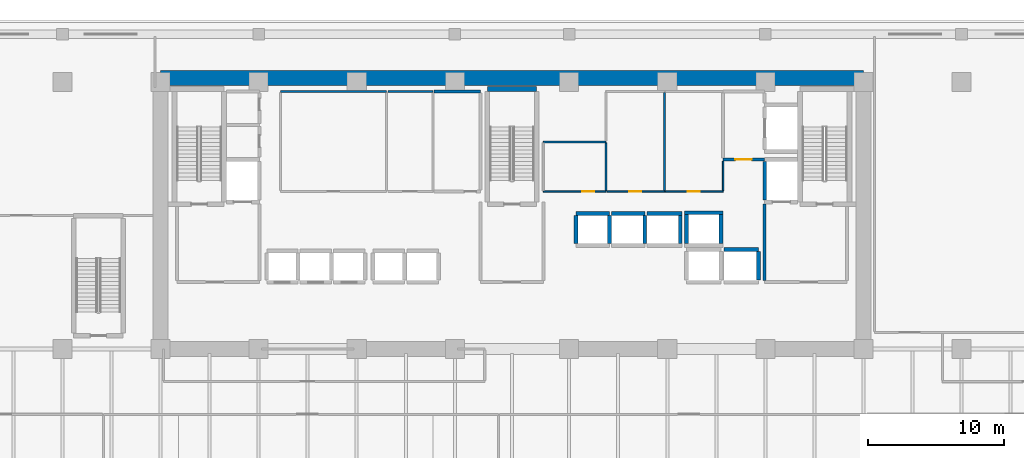
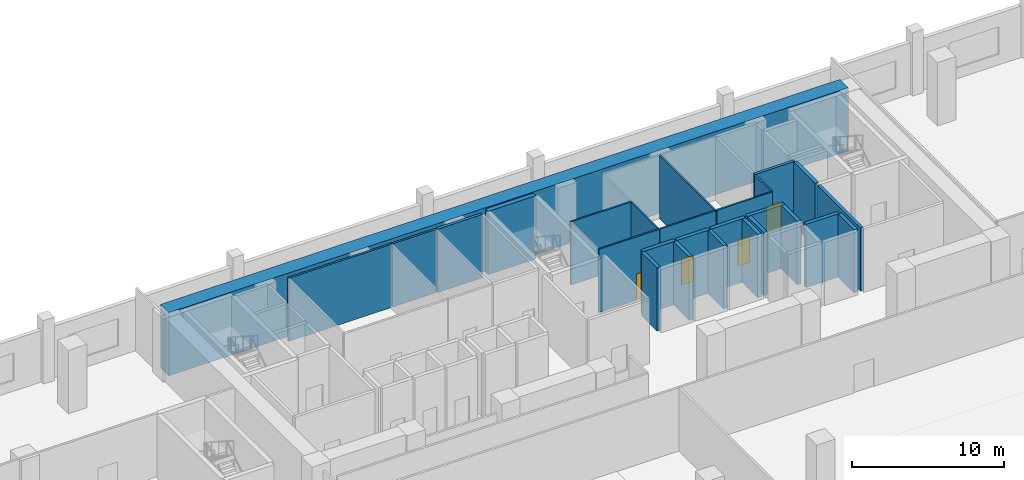
# One storey, part 20 of 25: 27 walls, 4 doors, 4 openings.
"""IFC4 building model written with IfcOpenShell, lengths in metres."""

from ifc_helpers import new_model, si_unit, direction, frame, frame_2d, origin, place, context, subcontext, project, spatial, rectangle, extrude, material, layer, layer_set, type_object, element, fill, save


model = new_model("IFC4")

# Units and contexts
model_context = context("Model", 3, precision=1e-05, world=origin(), true_north=direction((0.0, 1.0)))
body_context = subcontext(model_context, "Body", "Model", "MODEL_VIEW")
ifc_project = project(units=[si_unit("LENGTHUNIT", "METRE"), si_unit("AREAUNIT", "SQUARE_METRE"), si_unit("VOLUMEUNIT", "CUBIC_METRE"), si_unit("PLANEANGLEUNIT", "RADIAN"), si_unit("MASSUNIT", "GRAM", prefix="KILO")], contexts=[model_context])

# Site, building, storey
site_placement = place(None, origin())
site = spatial("IfcSite", under=ifc_project, at=site_placement, CompositionType="ELEMENT")
building_placement = place(site_placement, origin())
building = spatial("IfcBuilding", under=site, at=building_placement, Name="Kaelvorn Grand Hotel", CompositionType="ELEMENT")
storey_placement = place(building_placement, frame((0.0, 0.0, 14.0)))
storey = spatial("IfcBuildingStorey", under=building, at=storey_placement, Name="L02", CompositionType="ELEMENT", Elevation=14.0)

# Wall
ifc_material_1 = material(Name="Concrete C80/95", Category="concrete")
ifc_layer_1 = layer(ifc_material_1, 1.10009765625)
ifc_layer_set_1 = layer_set([ifc_layer_1], Name="Concrete C80/95")
wall_type_1 = type_object("IfcWallType", Name="WL-CORE-1100-C80", PredefinedType="SHEAR", material=ifc_layer_set_1)
wall_1_placement = place(storey_placement, frame((16.199951171875, 49.300048828125, 0.0), z_axis=(0.0, 0.0, 1.0), x_axis=(1.0, 0.0, 0.0)))
element("IfcWall", 1, at=wall_1_placement, inside=storey, type_object=wall_type_1, Name="L02 Rear-Core North Shear Wall", PredefinedType="SHEAR", context=body_context, shape_type="SweptSolid", body=[
    extrude(rectangle(XDim=51.60009765625, YDim=1.10009765625, at=frame_2d((25.800048828125, 0.0))), origin(), (0.0, 0.0, 1.0), 5.080078125),
])

# Wall, opening, door
ifc_material_2 = material(Name="Moisture-Resistant Tile & Stud Board")
ifc_layer_2 = layer(ifc_material_2, 0.125)
ifc_layer_set_2 = layer_set([ifc_layer_2], Name="Moisture-Resistant Tile & Stud Board")
wall_type_2 = type_object("IfcWallType", Name="WL-PART-125-WET", PredefinedType="PARTITIONING", material=ifc_layer_set_2)
wall_2_placement = place(storey_placement, frame((44.300048828125, 40.949951171875, 0.0), z_axis=(0.0, 0.0, 1.0), x_axis=(1.0, 0.0, 0.0)))
wall_2 = element("IfcWall", 2, at=wall_2_placement, inside=storey, type_object=wall_type_2, Name="L02 Accessible WC S Partition", PredefinedType="PARTITIONING", context=body_context, shape_type="SweptSolid", body=[
    extrude(rectangle(XDim=4.599853515625, YDim=0.125, at=frame_2d((2.2998046875, 0.0))), origin(), (0.0, 0.0, 1.0), 5.080078125),
])
opening_1_placement = place(wall_2_placement, frame((2.85009765625, 0.0, 0.0)))
opening_1 = element("IfcOpeningElement", 3, at=opening_1_placement, cuts=wall_2, Name="Opening DI4", PredefinedType="OPENING", context=body_context, shape_type="SweptSolid", body=[
    extrude(rectangle(XDim=0.89990234375, YDim=2.10009765625, at=frame_2d((0.449951171875, 1.050048828125))), frame((0.0, 0.072509765625, 0.0), z_axis=(0.0, -1.0, 0.0), x_axis=(1.0, 0.0, 0.0)), (0.0, 0.0, 1.0), 0.14501953125),
])
ifc_material_3 = material(Name="Timber Veneer Leaf", Category="wood")
door_type_1 = type_object("IfcDoorType", Name="DR-INT-BATH-900x2100", OperationType="NOTDEFINED", PredefinedType="DOOR", material=ifc_material_3)
door_1_placement = place(opening_1_placement, origin())
door_1 = element("IfcDoor", 4, at=door_1_placement, inside=storey, type_object=door_type_1, Name="L02 Accessible WC Door", OperationType="SINGLE_SWING_LEFT", OverallHeight=2.10009765625, OverallWidth=0.89990234375, PredefinedType="DOOR", context=body_context, shape_type="SweptSolid", body=[
    extrude(rectangle(XDim=0.89990234375, YDim=2.10009765625, at=frame_2d((0.449951171875, 1.050048828125))), frame((0.0, 0.02490234375, 0.0), z_axis=(0.0, -1.0, 0.0), x_axis=(1.0, 0.0, 0.0)), (0.0, 0.0, 1.0), 0.050048828125),
])
fill(opening_1, door_1)

# Walls
wall_3_placement = place(storey_placement, frame((44.300048828125, 44.60009765625, 0.0), z_axis=(0.0, 0.0, 1.0), x_axis=(1.0, 0.0, 0.0)))
element("IfcWall", 5, at=wall_3_placement, inside=storey, type_object=wall_type_2, Name="L02 Accessible WC N Partition", PredefinedType="PARTITIONING", context=body_context, shape_type="SweptSolid", body=[
    extrude(rectangle(XDim=4.599853515625, YDim=0.125, at=frame_2d((2.2998046875, 0.0))), origin(), (0.0, 0.0, 1.0), 5.080078125),
])
wall_4_placement = place(storey_placement, frame((48.89990234375, 41.017578125, 0.0), z_axis=(0.0, 0.0, 1.0), x_axis=(0.0, 1.0, 0.0)))
element("IfcWall", 6, at=wall_4_placement, inside=storey, type_object=wall_type_2, Name="L02 Accessible WC E Partition", PredefinedType="PARTITIONING", context=body_context, shape_type="SweptSolid", body=[
    extrude(rectangle(XDim=3.514892578125, YDim=0.125, at=frame_2d((1.75732421875, 0.0))), origin(), (0.0, 0.0, 1.0), 5.080078125),
])

# Wall, opening, door
wall_5_placement = place(storey_placement, frame((48.967529296875, 40.949951171875, 0.0), z_axis=(0.0, 0.0, 1.0), x_axis=(1.0, 0.0, 0.0)))
wall_5 = element("IfcWall", 7, at=wall_5_placement, inside=storey, type_object=wall_type_2, Name="L02 Male Public Toilets S Partition", PredefinedType="PARTITIONING", context=body_context, shape_type="SweptSolid", body=[
    extrude(rectangle(XDim=4.232421875, YDim=0.125, at=frame_2d((2.1162109375, 0.0))), origin(), (0.0, 0.0, 1.0), 5.080078125),
])
opening_2_placement = place(wall_5_placement, frame((1.632568359375, 0.0, 0.0)))
opening_2 = element("IfcOpeningElement", 8, at=opening_2_placement, cuts=wall_5, Name="Opening DI4", PredefinedType="OPENING", context=body_context, shape_type="SweptSolid", body=[
    extrude(rectangle(XDim=0.89990234375, YDim=2.10009765625, at=frame_2d((0.449951171875, 1.050048828125))), frame((0.0, 0.072509765625, 0.0), z_axis=(0.0, -1.0, 0.0), x_axis=(1.0, 0.0, 0.0)), (0.0, 0.0, 1.0), 0.14501953125),
])
door_2_placement = place(opening_2_placement, origin())
door_2 = element("IfcDoor", 9, at=door_2_placement, inside=storey, type_object=door_type_1, Name="L02 Male Public Toilets Door", OperationType="SINGLE_SWING_RIGHT", OverallHeight=2.10009765625, OverallWidth=0.89990234375, PredefinedType="DOOR", context=body_context, shape_type="SweptSolid", body=[
    extrude(rectangle(XDim=0.89990234375, YDim=2.10009765625, at=frame_2d((0.449951171875, 1.050048828125))), frame((0.0, 0.02490234375, 0.0), z_axis=(0.0, -1.0, 0.0), x_axis=(1.0, 0.0, 0.0)), (0.0, 0.0, 1.0), 0.050048828125),
])
fill(opening_2, door_2)

# Wall
wall_6_placement = place(storey_placement, frame((53.199951171875, 41.017578125, 0.0), z_axis=(0.0, 0.0, 1.0), x_axis=(0.0, 1.0, 0.0)))
element("IfcWall", 10, at=wall_6_placement, inside=storey, type_object=wall_type_2, Name="L02 Male Public Toilets E Partition", PredefinedType="PARTITIONING", context=body_context, shape_type="SweptSolid", body=[
    extrude(rectangle(XDim=7.21484375, YDim=0.125, at=frame_2d((3.607421875, 0.0))), origin(), (0.0, 0.0, 1.0), 5.080078125),
])

# Wall, opening, door
wall_7_placement = place(storey_placement, frame((53.267578125, 40.949951171875, 0.0), z_axis=(0.0, 0.0, 1.0), x_axis=(1.0, 0.0, 0.0)))
wall_7 = element("IfcWall", 11, at=wall_7_placement, inside=storey, type_object=wall_type_2, Name="L02 Female Public Toilets S Partition", PredefinedType="PARTITIONING", context=body_context, shape_type="SweptSolid", body=[
    extrude(rectangle(XDim=4.232421875, YDim=0.125, at=frame_2d((2.1162109375, 0.0))), origin(), (0.0, 0.0, 1.0), 5.080078125),
])
opening_3_placement = place(wall_7_placement, frame((1.632568359375, 0.0, 0.0)))
opening_3 = element("IfcOpeningElement", 12, at=opening_3_placement, cuts=wall_7, Name="Opening DI4", PredefinedType="OPENING", context=body_context, shape_type="SweptSolid", body=[
    extrude(rectangle(XDim=0.89990234375, YDim=2.10009765625, at=frame_2d((0.449951171875, 1.050048828125))), frame((0.0, 0.072509765625, 0.0), z_axis=(0.0, -1.0, 0.0), x_axis=(1.0, 0.0, 0.0)), (0.0, 0.0, 1.0), 0.14501953125),
])
door_3_placement = place(opening_3_placement, origin())
door_3 = element("IfcDoor", 13, at=door_3_placement, inside=storey, type_object=door_type_1, Name="L02 Female Public Toilets Door", OperationType="SINGLE_SWING_LEFT", OverallHeight=2.10009765625, OverallWidth=0.89990234375, PredefinedType="DOOR", context=body_context, shape_type="SweptSolid", body=[
    extrude(rectangle(XDim=0.89990234375, YDim=2.10009765625, at=frame_2d((0.449951171875, 1.050048828125))), frame((0.0, 0.02490234375, 0.0), z_axis=(0.0, -1.0, 0.0), x_axis=(1.0, 0.0, 0.0)), (0.0, 0.0, 1.0), 0.050048828125),
])
fill(opening_3, door_3)

# Walls
wall_8_placement = place(storey_placement, frame((57.5, 41.017578125, 0.0), z_axis=(0.0, 0.0, 1.0), x_axis=(0.0, 1.0, 0.0)))
element("IfcWall", 14, at=wall_8_placement, inside=storey, type_object=wall_type_2, Name="L02 Female Public Toilets E Partition", PredefinedType="PARTITIONING", context=body_context, shape_type="SweptSolid", body=[
    extrude(rectangle(XDim=2.16748046875, YDim=0.125, at=frame_2d((1.083740234375, 0.0))), origin(), (0.0, 0.0, 1.0), 5.080078125),
])
ifc_material_4 = material(Name="Acoustic Gypsum & Stud Partition")
ifc_layer_3 = layer(ifc_material_4, 0.14990234375)
ifc_layer_set_3 = layer_set([ifc_layer_3], Name="Acoustic Gypsum & Stud Partition")
wall_type_3 = type_object("IfcWallType", Name="WL-PART-150-EI60", PredefinedType="PARTITIONING", material=ifc_layer_set_3)
wall_9_placement = place(storey_placement, frame((25.0, 48.300048828125, 0.0), z_axis=(0.0, 0.0, 1.0), x_axis=(1.0, 0.0, 0.0)))
element("IfcWall", 15, at=wall_9_placement, inside=storey, type_object=wall_type_3, Name="L02 Housekeeping & Cleaner Store N Partition", PredefinedType="PARTITIONING", context=body_context, shape_type="SweptSolid", body=[
    extrude(rectangle(XDim=7.800048828125, YDim=0.14990234375, at=frame_2d((3.89990234375, 0.0))), origin(), (0.0, 0.0, 1.0), 5.080078125),
])
wall_10_placement = place(storey_placement, frame((32.8798828125, 48.300048828125, 0.0), z_axis=(0.0, 0.0, 1.0), x_axis=(1.0, 0.0, 0.0)))
element("IfcWall", 16, at=wall_10_placement, inside=storey, type_object=wall_type_3, Name="L02 Floor Butler Tea Point N Partition", PredefinedType="PARTITIONING", context=body_context, shape_type="SweptSolid", body=[
    extrude(rectangle(XDim=3.320068359375, YDim=0.14990234375, at=frame_2d((1.66015625, 0.0))), origin(), (0.0, 0.0, 1.0), 5.080078125),
])
ifc_material_5 = material(Name="Concrete C40/50", Category="concrete")
ifc_layer_4 = layer(ifc_material_5, 0.219970703125)
ifc_layer_set_4 = layer_set([ifc_layer_4], Name="Concrete C40/50")
wall_type_4 = type_object("IfcWallType", Name="WL-PART-220-EI120", PredefinedType="PARTITIONING", material=ifc_layer_set_4)
wall_11_placement = place(storey_placement, frame((60.550048828125, 34.4150390625, 0.0), z_axis=(0.0, 0.0, 1.0), x_axis=(0.0, 1.0, 0.0)))
element("IfcWall", 17, at=wall_11_placement, inside=storey, type_object=wall_type_4, Name="L02 Firefighting Lift Lobby 2 W Partition", PredefinedType="PARTITIONING", context=body_context, shape_type="SweptSolid", body=[
    extrude(rectangle(XDim=5.639892578125, YDim=0.219970703125, at=frame_2d((2.81982421875, 0.0))), origin(), (0.0, 0.0, 1.0), 5.080078125),
])

# Wall, opening, door
wall_12_placement = place(storey_placement, frame((57.5, 43.300048828125, 0.0), z_axis=(0.0, 0.0, 1.0), x_axis=(1.0, 0.0, 0.0)))
wall_12 = element("IfcWall", 18, at=wall_12_placement, inside=storey, type_object=wall_type_4, Name="L02 Service Lift Lobby S Partition", PredefinedType="PARTITIONING", context=body_context, shape_type="SweptSolid", body=[
    extrude(rectangle(XDim=3.0400390625, YDim=0.219970703125, at=frame_2d((1.52001953125, 0.0))), origin(), (0.0, 0.0, 1.0), 5.080078125),
])
opening_4_placement = place(wall_12_placement, frame((0.89990234375, 0.0, 0.0)))
opening_4 = element("IfcOpeningElement", 19, at=opening_4_placement, cuts=wall_12, Name="Opening DI2", PredefinedType="OPENING", context=body_context, shape_type="SweptSolid", body=[
    extrude(rectangle(XDim=1.199951171875, YDim=2.14990234375, at=frame_2d((0.60009765625, 1.074951171875))), frame((0.0, 0.1201171875, 0.0), z_axis=(0.0, -1.0, 0.0), x_axis=(1.0, 0.0, 0.0)), (0.0, 0.0, 1.0), 0.239990234375),
])
ifc_material_6 = material(Name="Timber Veneer Fire Leaf", Category="wood")
door_type_2 = type_object("IfcDoorType", Name="DR-INT-FFLOB-1200x2150", OperationType="NOTDEFINED", PredefinedType="DOOR", material=ifc_material_6)
door_4_placement = place(opening_4_placement, origin())
door_4 = element("IfcDoor", 20, at=door_4_placement, inside=storey, type_object=door_type_2, Name="L02 Service Lift Lobby Door", OperationType="SINGLE_SWING_LEFT", OverallHeight=2.14990234375, OverallWidth=1.199951171875, PredefinedType="DOOR", context=body_context, shape_type="SweptSolid", body=[
    extrude(rectangle(XDim=1.199951171875, YDim=2.14990234375, at=frame_2d((0.60009765625, 1.074951171875))), frame((0.0, 0.02490234375, 0.0), z_axis=(0.0, -1.0, 0.0), x_axis=(1.0, 0.0, 0.0)), (0.0, 0.0, 1.0), 0.050048828125),
])
fill(opening_4, door_4)

# Walls
wall_13_placement = place(storey_placement, frame((36.280029296875, 48.300048828125, 0.0), z_axis=(0.0, 0.0, 1.0), x_axis=(1.0, 0.0, 0.0)))
element("IfcWall", 21, at=wall_13_placement, inside=storey, type_object=wall_type_4, Name="L02 LV Electrical & Metering Room N Partition", PredefinedType="PARTITIONING", context=body_context, shape_type="SweptSolid", body=[
    extrude(rectangle(XDim=3.419921875, YDim=0.219970703125, at=frame_2d((1.7099609375, 0.0))), origin(), (0.0, 0.0, 1.0), 5.080078125),
])
ifc_material_7 = material(Name="Concrete C50/60", Category="concrete")
ifc_layer_5 = layer(ifc_material_7, 0.280029296875)
ifc_layer_set_5 = layer_set([ifc_layer_5], Name="Concrete C50/60")
wall_type_5 = type_object("IfcWallType", Name="WL-SHAFT-280-C50", PredefinedType="SHEAR", material=ifc_layer_set_5)
wall_14_placement = place(storey_placement, frame((46.699951171875, 39.35009765625, 0.0), z_axis=(0.0, 0.0, 1.0), x_axis=(1.0, 0.0, 0.0)))
element("IfcWall", 22, at=wall_14_placement, inside=storey, type_object=wall_type_5, Name="L02 Lift SL-1 Shaft North Wall", PredefinedType="SHEAR", context=body_context, shape_type="SweptSolid", body=[
    extrude(rectangle(XDim=2.449951171875, YDim=0.280029296875, at=frame_2d((1.22509765625, 0.0))), origin(), (0.0, 0.0, 1.0), 5.080078125),
])
for number, where, z_axis, x_axis, name in (
    (23, (46.699951171875, 37.14501953125, 0.0), (0.0, 0.0, 1.0), (0.0, 1.0, 0.0), "L02 Lift SL-1 Shaft West Wall"),
    (24, (49.14990234375, 37.14501953125, 0.0), (0.0, 0.0, 1.0), (0.0, 1.0, 0.0), "L02 Lift SL-1 Shaft East Wall"),
):
    element("IfcWall", number, at=place(storey_placement, frame(where, z_axis=z_axis, x_axis=x_axis)), inside=storey, type_object=wall_type_5, Name=name, PredefinedType="SHEAR", context=body_context, shape_type="SweptSolid", body=[
        extrude(rectangle(XDim=2.06005859375, YDim=0.280029296875, at=frame_2d((1.030029296875, 0.0))), origin(), (0.0, 0.0, 1.0), 5.080078125),
    ])
wall_15_placement = place(storey_placement, frame((49.300048828125, 39.35009765625, 0.0), z_axis=(0.0, 0.0, 1.0), x_axis=(1.0, 0.0, 0.0)))
element("IfcWall", 25, at=wall_15_placement, inside=storey, type_object=wall_type_5, Name="L02 Lift SL-2 Shaft North Wall", PredefinedType="SHEAR", context=body_context, shape_type="SweptSolid", body=[
    extrude(rectangle(XDim=2.449951171875, YDim=0.280029296875, at=frame_2d((1.22509765625, 0.0))), origin(), (0.0, 0.0, 1.0), 5.080078125),
])
wall_16_placement = place(storey_placement, frame((51.75, 37.14501953125, 0.0), z_axis=(0.0, 0.0, 1.0), x_axis=(0.0, 1.0, 0.0)))
element("IfcWall", 26, at=wall_16_placement, inside=storey, type_object=wall_type_5, Name="L02 Lift SL-2 Shaft East Wall", PredefinedType="SHEAR", context=body_context, shape_type="SweptSolid", body=[
    extrude(rectangle(XDim=2.06005859375, YDim=0.280029296875, at=frame_2d((1.030029296875, 0.0))), origin(), (0.0, 0.0, 1.0), 5.080078125),
])
wall_17_placement = place(storey_placement, frame((51.89990234375, 39.35009765625, 0.0), z_axis=(0.0, 0.0, 1.0), x_axis=(1.0, 0.0, 0.0)))
element("IfcWall", 27, at=wall_17_placement, inside=storey, type_object=wall_type_5, Name="L02 Lift SL-3 Shaft North Wall", PredefinedType="SHEAR", context=body_context, shape_type="SweptSolid", body=[
    extrude(rectangle(XDim=2.590087890625, YDim=0.280029296875, at=frame_2d((1.294921875, 0.0))), origin(), (0.0, 0.0, 1.0), 5.080078125),
])
wall_18_placement = place(storey_placement, frame((54.35009765625, 37.14501953125, 0.0), z_axis=(0.0, 0.0, 1.0), x_axis=(0.0, 1.0, 0.0)))
element("IfcWall", 28, at=wall_18_placement, inside=storey, type_object=wall_type_5, Name="L02 Lift SL-3 Shaft East Wall", PredefinedType="SHEAR", context=body_context, shape_type="SweptSolid", body=[
    extrude(rectangle(XDim=2.06005859375, YDim=0.280029296875, at=frame_2d((1.030029296875, 0.0))), origin(), (0.0, 0.0, 1.0), 5.080078125),
])
wall_19_placement = place(storey_placement, frame((57.550048828125, 36.699951171875, 0.0), z_axis=(0.0, 0.0, 1.0), x_axis=(1.0, 0.0, 0.0)))
element("IfcWall", 29, at=wall_19_placement, inside=storey, type_object=wall_type_5, Name="L02 Lift OL-2 Shaft North Wall", PredefinedType="SHEAR", context=body_context, shape_type="SweptSolid", body=[
    extrude(rectangle(XDim=2.550048828125, YDim=0.280029296875, at=frame_2d((1.27490234375, 0.0))), origin(), (0.0, 0.0, 1.0), 5.080078125),
])
wall_20_placement = place(storey_placement, frame((60.10009765625, 34.445068359375, 0.0), z_axis=(0.0, 0.0, 1.0), x_axis=(0.0, 1.0, 0.0)))
element("IfcWall", 30, at=wall_20_placement, inside=storey, type_object=wall_type_5, Name="L02 Lift OL-2 Shaft East Wall", PredefinedType="SHEAR", context=body_context, shape_type="SweptSolid", body=[
    extrude(rectangle(XDim=2.10986328125, YDim=0.280029296875, at=frame_2d((1.054931640625, 0.0))), origin(), (0.0, 0.0, 1.0), 5.080078125),
])
wall_21_placement = place(storey_placement, frame((54.659912109375, 39.39990234375, 0.0), z_axis=(0.0, 0.0, 1.0), x_axis=(1.0, 0.0, 0.0)))
element("IfcWall", 31, at=wall_21_placement, inside=storey, type_object=wall_type_5, Name="L02 Lift OL-3 Shaft North Wall", PredefinedType="SHEAR", context=body_context, shape_type="SweptSolid", body=[
    extrude(rectangle(XDim=2.830078125, YDim=0.280029296875, at=frame_2d((1.4150390625, 0.0))), origin(), (0.0, 0.0, 1.0), 5.080078125),
])
for number, where, z_axis, x_axis, name in (
    (32, (54.800048828125, 37.14501953125, 0.0), (0.0, 0.0, 1.0), (0.0, 1.0, 0.0), "L02 Lift OL-3 Shaft West Wall"),
    (33, (57.35009765625, 37.14501953125, 0.0), (0.0, 0.0, 1.0), (0.0, 1.0, 0.0), "L02 Lift OL-3 Shaft East Wall"),
):
    element("IfcWall", number, at=place(storey_placement, frame(where, z_axis=z_axis, x_axis=x_axis)), inside=storey, type_object=wall_type_5, Name=name, PredefinedType="SHEAR", context=body_context, shape_type="SweptSolid", body=[
        extrude(rectangle(XDim=2.10986328125, YDim=0.280029296875, at=frame_2d((1.054931640625, 0.0))), origin(), (0.0, 0.0, 1.0), 5.080078125),
    ])
wall_22_placement = place(storey_placement, frame((60.550048828125, 40.344970703125, 0.0), z_axis=(0.0, 0.0, 1.0), x_axis=(0.0, 1.0, 0.0)))
element("IfcWall", 34, at=wall_22_placement, inside=storey, type_object=wall_type_5, Name="L02 Lift FFL2 Shaft West Wall", PredefinedType="SHEAR", context=body_context, shape_type="SweptSolid", body=[
    extrude(rectangle(XDim=2.81005859375, YDim=0.280029296875, at=frame_2d((1.405029296875, 0.0))), origin(), (0.0, 0.0, 1.0), 5.080078125),
])
ifc_material_8 = material(Name="Concrete C60/75", Category="concrete")
ifc_layer_6 = layer(ifc_material_8, 0.35009765625)
ifc_layer_set_6 = layer_set([ifc_layer_6], Name="Concrete C60/75")
wall_type_6 = type_object("IfcWallType", Name="WL-SHAFT-350-C60", PredefinedType="SHEAR", material=ifc_layer_set_6)
wall_23_placement = place(storey_placement, frame((40.18505859375, 48.47509765625, 0.0), z_axis=(0.0, 0.0, 1.0), x_axis=(1.0, 0.0, 0.0)))
element("IfcWall", 35, at=wall_23_placement, inside=storey, type_object=wall_type_6, Name="L02 ST2 Stair Shaft North Wall", PredefinedType="SHEAR", context=body_context, shape_type="SweptSolid", body=[
    extrude(rectangle(XDim=3.6298828125, YDim=0.35009765625, at=frame_2d((1.81494140625, 0.0))), origin(), (0.0, 0.0, 1.0), 5.080078125),
])

save(model, "model.ifc")
